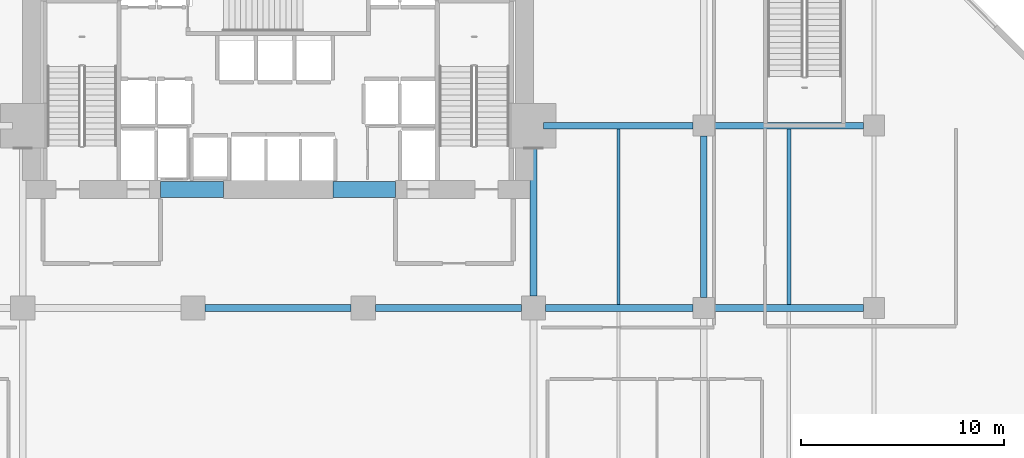
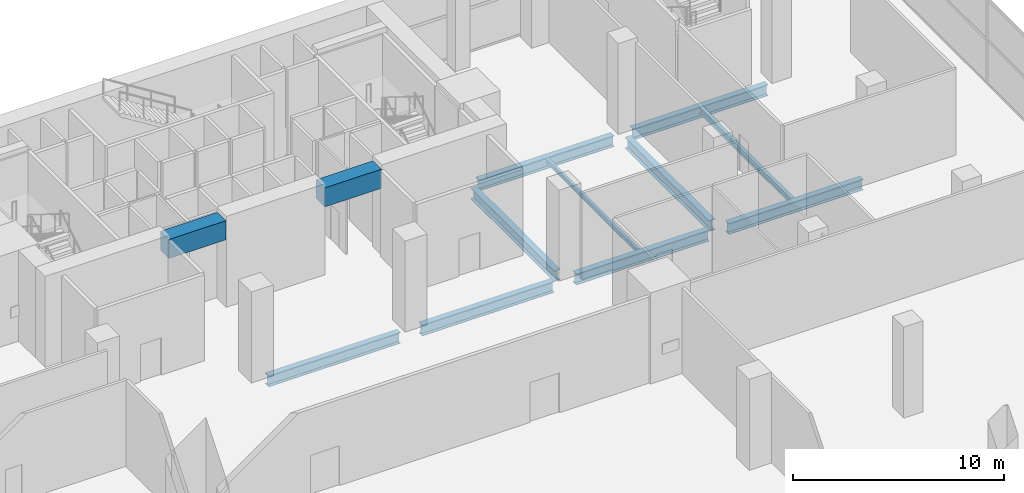
# One storey, part 22 of 40: 12 beams.
"""IFC4 building model written with IfcOpenShell, lengths in metres."""

from ifc_helpers import new_model, si_unit, direction, frame, origin, origin_2d, place, context, subcontext, project, spatial, rectangle, i_section, extrude, material, material_profile, profile_set, type_object, element, save


model = new_model("IFC4")

# Units and contexts
model_context = context("Model", 3, precision=1e-05, world=origin(), true_north=direction((0.0, 1.0)))
body_context = subcontext(model_context, "Body", "Model", "MODEL_VIEW")
ifc_project = project(units=[si_unit("LENGTHUNIT", "METRE"), si_unit("AREAUNIT", "SQUARE_METRE"), si_unit("VOLUMEUNIT", "CUBIC_METRE"), si_unit("PLANEANGLEUNIT", "RADIAN"), si_unit("MASSUNIT", "GRAM", prefix="KILO")], contexts=[model_context])

# Site, building, storey
site_placement = place(None, origin())
site = spatial("IfcSite", under=ifc_project, at=site_placement, CompositionType="ELEMENT")
building_placement = place(site_placement, origin())
building = spatial("IfcBuilding", under=site, at=building_placement, Name="Maruvema Waterfront Hotel and Observation Tower", CompositionType="ELEMENT")
storey_placement = place(building_placement, frame((0.0, 0.0, 5.60009765625)))
storey = spatial("IfcBuildingStorey", under=building, at=storey_placement, Name="L01", CompositionType="ELEMENT", Elevation=5.60009765625)

# Beams
ifc_material_1 = material(Name="Concrete C60/75", Category="concrete")
ifc_material_profile_1 = material_profile(ifc_material_1, rectangle(XDim=0.800048828125, YDim=1.10009765625, at=origin_2d()), Name="CB800x1100")
ifc_profile_set_1 = profile_set([ifc_material_profile_1], Name="Concrete C60/75")
beam_type_1 = type_object("IfcBeamType", Name="Core Coupling Lintel Beam CB800x1100", PredefinedType="LINTEL", material=ifc_profile_set_1)
for number, where, z_axis, x_axis, name in (
    (1, (32.0, 41.85009765625, 4.419921875), (1.0, 0.0, 0.0), (0.0, 1.0, 0.0), "L01 Core Coupling Lintel Beam West"),
    (2, (40.5, 41.85009765625, 4.419921875), (1.0, 0.0, 0.0), (0.0, 1.0, 0.0), "L01 Core Coupling Lintel Beam East"),
):
    element("IfcBeam", number, at=place(storey_placement, frame(where, z_axis=z_axis, x_axis=x_axis)), inside=storey, type_object=beam_type_1, Name=name, PredefinedType="LINTEL", context=body_context, shape_type="SweptSolid", body=[
        extrude(rectangle(XDim=0.800048828125, YDim=1.10009765625, at=origin_2d()), origin(), (0.0, 0.0, 1.0), 3.10009765625),
    ])
ifc_material_2 = material(Name="Steel ASTM A572 Grade 50", Category="steel")
ifc_material_profile_2 = material_profile(ifc_material_2, i_section(OverallWidth=0.3291015625, OverallDepth=0.635009765625, WebThickness=0.017822265625, FlangeThickness=0.031005859375, FilletRadius=0.01806640625, at=origin_2d()), Name="W610x241.0")
ifc_profile_set_2 = profile_set([ifc_material_profile_2], Name="Steel ASTM A572 Grade 50")
beam_type_2 = type_object("IfcBeamType", Name="Primary Floor Girder W610x241.0", PredefinedType="BEAM", material=ifc_profile_set_2)
for number, where, z_axis, x_axis, name in (
    (3, (34.199951171875, 36.0, -0.59765625), (1.0, 0.0, 0.0), (0.0, 1.0, 0.0), "L01 Floor Girder EW-28"),
    (4, (42.60009765625, 36.0, -0.59765625), (1.0, 0.0, 0.0), (0.0, 1.0, 0.0), "L01 Floor Girder EW-29"),
):
    element("IfcBeam", number, at=place(storey_placement, frame(where, z_axis=z_axis, x_axis=x_axis)), inside=storey, type_object=beam_type_2, Name=name, PredefinedType="BEAM", context=body_context, shape_type="SweptSolid", body=[
        extrude(i_section(OverallWidth=0.3291015625, OverallDepth=0.635009765625, WebThickness=0.017822265625, FlangeThickness=0.031005859375, FilletRadius=0.01806640625, at=origin_2d()), origin(), (0.0, 0.0, 1.0), 7.199951171875),
    ])
beam_1_placement = place(storey_placement, frame((51.0, 36.0, -0.59765625), z_axis=(1.0, 0.0, 0.0), x_axis=(0.0, 1.0, 0.0)))
element("IfcBeam", 5, at=beam_1_placement, inside=storey, type_object=beam_type_2, Name="L01 Floor Girder EW-30", PredefinedType="BEAM", context=body_context, shape_type="SweptSolid", body=[
    extrude(i_section(OverallWidth=0.3291015625, OverallDepth=0.635009765625, WebThickness=0.017822265625, FlangeThickness=0.031005859375, FilletRadius=0.01806640625, at=origin_2d()), origin(), (0.0, 0.0, 1.0), 7.27490234375),
])
beam_2_placement = place(storey_placement, frame((59.324951171875, 36.0, -0.59765625), z_axis=(1.0, 0.0, 0.0), x_axis=(0.0, 1.0, 0.0)))
element("IfcBeam", 6, at=beam_2_placement, inside=storey, type_object=beam_type_2, Name="L01 Floor Girder EW-31", PredefinedType="BEAM", context=body_context, shape_type="SweptSolid", body=[
    extrude(i_section(OverallWidth=0.3291015625, OverallDepth=0.635009765625, WebThickness=0.017822265625, FlangeThickness=0.031005859375, FilletRadius=0.01806640625, at=origin_2d()), origin(), (0.0, 0.0, 1.0), 7.35009765625),
])
beam_3_placement = place(storey_placement, frame((50.89990234375, 45.0, -0.59765625), z_axis=(1.0, 0.0, 0.0), x_axis=(0.0, 1.0, 0.0)))
element("IfcBeam", 7, at=beam_3_placement, inside=storey, type_object=beam_type_2, Name="L01 Floor Girder EW-34", PredefinedType="BEAM", context=body_context, shape_type="SweptSolid", body=[
    extrude(i_section(OverallWidth=0.3291015625, OverallDepth=0.635009765625, WebThickness=0.017822265625, FlangeThickness=0.031005859375, FilletRadius=0.01806640625, at=origin_2d()), origin(), (0.0, 0.0, 1.0), 7.375),
])
beam_4_placement = place(storey_placement, frame((59.324951171875, 45.0, -0.59765625), z_axis=(1.0, 0.0, 0.0), x_axis=(0.0, 1.0, 0.0)))
element("IfcBeam", 8, at=beam_4_placement, inside=storey, type_object=beam_type_2, Name="L01 Floor Girder EW-35", PredefinedType="BEAM", context=body_context, shape_type="SweptSolid", body=[
    extrude(i_section(OverallWidth=0.3291015625, OverallDepth=0.635009765625, WebThickness=0.017822265625, FlangeThickness=0.031005859375, FilletRadius=0.01806640625, at=origin_2d()), origin(), (0.0, 0.0, 1.0), 7.35009765625),
])
beam_5_placement = place(storey_placement, frame((50.39990234375, 36.60009765625, -0.59765625), z_axis=(0.0, 1.0, 0.0), x_axis=(-1.0, 0.0, 0.0)))
element("IfcBeam", 9, at=beam_5_placement, inside=storey, type_object=beam_type_2, Name="L01 Floor Girder NS-22", PredefinedType="BEAM", context=body_context, shape_type="SweptSolid", body=[
    extrude(i_section(OverallWidth=0.3291015625, OverallDepth=0.635009765625, WebThickness=0.017822265625, FlangeThickness=0.031005859375, FilletRadius=0.01806640625, at=origin_2d()), origin(), (0.0, 0.0, 1.0), 7.89990234375),
])
beam_6_placement = place(storey_placement, frame((58.800048828125, 36.52490234375, -0.59765625), z_axis=(0.0, 1.0, 0.0), x_axis=(-1.0, 0.0, 0.0)))
element("IfcBeam", 10, at=beam_6_placement, inside=storey, type_object=beam_type_2, Name="L01 Floor Girder NS-27", PredefinedType="BEAM", context=body_context, shape_type="SweptSolid", body=[
    extrude(i_section(OverallWidth=0.3291015625, OverallDepth=0.635009765625, WebThickness=0.017822265625, FlangeThickness=0.031005859375, FilletRadius=0.01806640625, at=origin_2d()), origin(), (0.0, 0.0, 1.0), 7.9501953125),
])
ifc_material_3 = material(Name="Steel ASTM A572 Grade 50", Category="steel")
ifc_material_profile_3 = material_profile(ifc_material_3, i_section(OverallWidth=0.14599609375, OverallDepth=0.258056640625, WebThickness=0.006103515625, FlangeThickness=0.009033203125, FilletRadius=0.012939453125, at=origin_2d()), Name="W250x32.7")
ifc_profile_set_3 = profile_set([ifc_material_profile_3], Name="Steel ASTM A572 Grade 50")
beam_type_3 = type_object("IfcBeamType", Name="Secondary Floor Joist W250x32.7", PredefinedType="JOIST", material=ifc_profile_set_3)
beam_7_placement = place(storey_placement, frame((54.60009765625, 36.16455078125, -0.4091796875), z_axis=(0.0, 1.0, 0.0), x_axis=(-1.0, 0.0, 0.0)))
element("IfcBeam", 11, at=beam_7_placement, inside=storey, type_object=beam_type_3, Name="L01 Secondary Floor Joist JS-16", PredefinedType="JOIST", context=body_context, shape_type="SweptSolid", body=[
    extrude(i_section(OverallWidth=0.14599609375, OverallDepth=0.258056640625, WebThickness=0.006103515625, FlangeThickness=0.009033203125, FilletRadius=0.012939453125, at=origin_2d()), origin(), (0.0, 0.0, 1.0), 8.6708984375),
])
ifc_material_4 = material(Name="Steel ASTM A572 Grade 50", Category="steel")
ifc_material_profile_4 = material_profile(ifc_material_4, i_section(OverallWidth=0.202880859375, OverallDepth=0.346923828125, WebThickness=0.0078125, FlangeThickness=0.013427734375, FilletRadius=0.014892578125, at=origin_2d()), Name="W360x64.0")
ifc_profile_set_4 = profile_set([ifc_material_profile_4], Name="Steel ASTM A572 Grade 50")
beam_type_4 = type_object("IfcBeamType", Name="Secondary Floor Joist W360x64.0", PredefinedType="JOIST", material=ifc_profile_set_4)
beam_8_placement = place(storey_placement, frame((63.0, 36.16455078125, -0.45361328125), z_axis=(0.0, 1.0, 0.0), x_axis=(-1.0, 0.0, 0.0)))
element("IfcBeam", 12, at=beam_8_placement, inside=storey, type_object=beam_type_4, Name="L01 Secondary Floor Joist JS-20", PredefinedType="JOIST", context=body_context, shape_type="SweptSolid", body=[
    extrude(i_section(OverallWidth=0.202880859375, OverallDepth=0.346923828125, WebThickness=0.0078125, FlangeThickness=0.013427734375, FilletRadius=0.014892578125, at=origin_2d()), origin(), (0.0, 0.0, 1.0), 8.6708984375),
])

save(model, "model.ifc")
